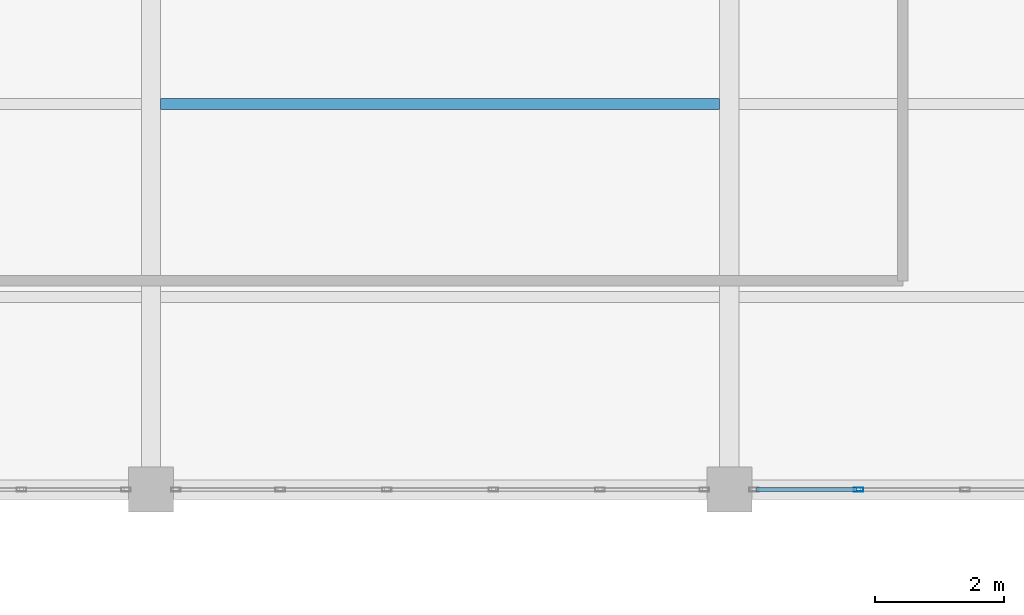
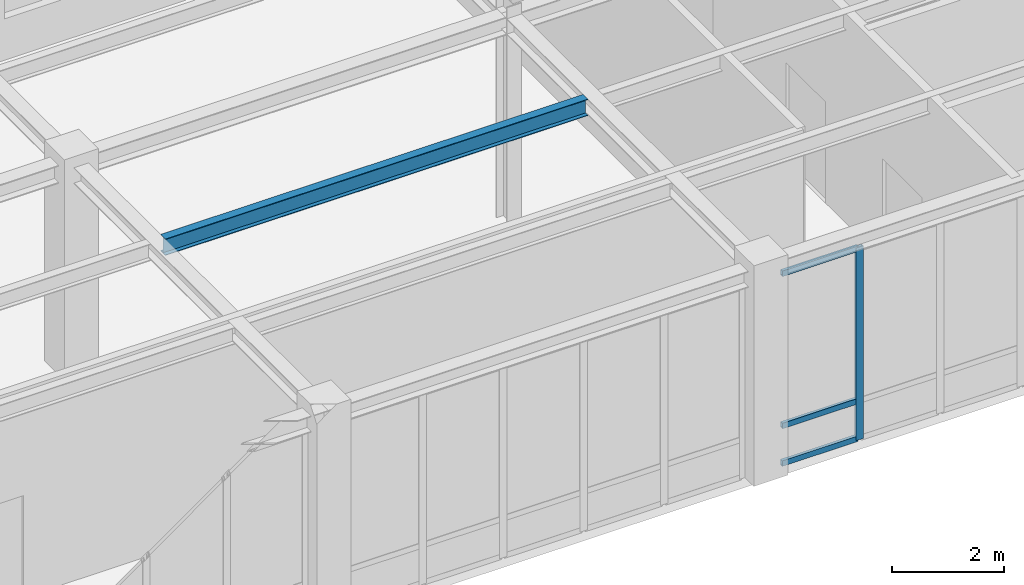
# One storey, part 63 of 92: 4 members, 1 beam, 1 element without a shape of its own.
"""IFC4 building model written with IfcOpenShell, lengths in metres."""

from ifc_helpers import new_model, si_unit, direction, frame, origin, origin_2d, place, context, subcontext, project, spatial, hollow_rectangle, i_section, extrude, material, material_profile, profile_set, type_object, element, aggregate, save


model = new_model("IFC4")

# Units and contexts
model_context = context("Model", 3, precision=1e-05, world=origin(), true_north=direction((0.0, 1.0)))
body_context = subcontext(model_context, "Body", "Model", "MODEL_VIEW")
ifc_project = project(units=[si_unit("LENGTHUNIT", "METRE"), si_unit("AREAUNIT", "SQUARE_METRE"), si_unit("VOLUMEUNIT", "CUBIC_METRE"), si_unit("PLANEANGLEUNIT", "RADIAN"), si_unit("MASSUNIT", "GRAM", prefix="KILO")], contexts=[model_context])

# Site, building, storey
site_placement = place(None, origin())
site = spatial("IfcSite", under=ifc_project, at=site_placement, CompositionType="ELEMENT")
building_placement = place(site_placement, origin())
building = spatial("IfcBuilding", under=site, at=building_placement, Name="Lykobir Media Centre", CompositionType="ELEMENT")
storey_placement = place(building_placement, frame((0.0, 0.0, 5.39990234375)))
storey = spatial("IfcBuildingStorey", under=building, at=storey_placement, Name="L01", CompositionType="ELEMENT", Elevation=5.39990234375)

# Curtain wall, members
ifc_material_1 = material(Name="Anodized Aluminium AW-6060", Category="aluminium")
curtain_wall_type = type_object("IfcCurtainWallType", Name="CW-COURT-A", PredefinedType="NOTDEFINED", material=ifc_material_1)
curtain_wall_placement = place(storey_placement, origin())
curtain_wall = element("IfcCurtainWall", 1, at=curtain_wall_placement, inside=storey, type_object=curtain_wall_type, Name="Curtain wall CW2-L01-0072", PredefinedType="NOTDEFINED")
ifc_material_profile_1 = material_profile(ifc_material_1, hollow_rectangle(XDim=0.06494140625, YDim=0.14990234375, WallThickness=0.00341796875, at=origin_2d()), Name="ALU MULLION 65x150")
ifc_profile_set_1 = profile_set([ifc_material_profile_1], Name="Anodized Aluminium AW-6060")
member_type_1 = type_object("IfcMemberType", Name="CWM-150", PredefinedType="MULLION", material=ifc_profile_set_1)
member_1_placement = place(storey_placement, frame((119.012939453125, 72.0, 0.0), z_axis=(0.0, 0.0, 1.0), x_axis=(0.0, -1.0, 0.0)))
member_1 = element("IfcMember", 2, at=member_1_placement, type_object=member_type_1, Name="CW2-L01-0072 mullion 5", PredefinedType="MULLION", context=body_context, shape_type="SweptSolid", body=[
    extrude(hollow_rectangle(XDim=0.06494140625, YDim=0.14990234375, WallThickness=0.00341796875, at=origin_2d()), origin(), (0.0, 0.0, 1.0), 4.195068359375),
])
ifc_material_profile_2 = material_profile(ifc_material_1, hollow_rectangle(XDim=0.06494140625, YDim=0.1201171875, WallThickness=0.0029296875, at=origin_2d()), Name="ALU TRANSOM 65x120")
ifc_profile_set_2 = profile_set([ifc_material_profile_2], Name="Anodized Aluminium AW-6060")
member_type_2 = type_object("IfcMemberType", Name="CWT-120", PredefinedType="USERDEFINED", material=ifc_profile_set_2)
member_2_placement = place(storey_placement, frame((118.98046875, 72.0, 0.03271484375), z_axis=(-1.0, 0.0, 0.0), x_axis=(0.0, -1.0, 0.0)))
member_2 = element("IfcMember", 3, at=member_2_placement, type_object=member_type_2, Name="CW2-L01-0072 transom 5.1", ObjectType="TRANSOM", PredefinedType="USERDEFINED", context=body_context, shape_type="SweptSolid", body=[
    extrude(hollow_rectangle(XDim=0.06494140625, YDim=0.1201171875, WallThickness=0.0029296875, at=origin_2d()), origin(), (0.0, 0.0, 1.0), 1.560546875),
])
member_3_placement = place(storey_placement, frame((118.98046875, 72.0, 0.85009765625), z_axis=(-1.0, 0.0, 0.0), x_axis=(0.0, -1.0, 0.0)))
member_3 = element("IfcMember", 4, at=member_3_placement, type_object=member_type_2, Name="CW2-L01-0072 transom 5.2", ObjectType="TRANSOM", PredefinedType="USERDEFINED", context=body_context, shape_type="SweptSolid", body=[
    extrude(hollow_rectangle(XDim=0.06494140625, YDim=0.1201171875, WallThickness=0.0029296875, at=origin_2d()), origin(), (0.0, 0.0, 1.0), 1.560546875),
])
member_4_placement = place(storey_placement, frame((118.98046875, 72.0, 4.16259765625), z_axis=(-1.0, 0.0, 0.0), x_axis=(0.0, -1.0, 0.0)))
member_4 = element("IfcMember", 5, at=member_4_placement, type_object=member_type_2, Name="CW2-L01-0072 transom 5.3", ObjectType="TRANSOM", PredefinedType="USERDEFINED", context=body_context, shape_type="SweptSolid", body=[
    extrude(hollow_rectangle(XDim=0.06494140625, YDim=0.1201171875, WallThickness=0.0029296875, at=origin_2d()), origin(), (0.0, 0.0, 1.0), 1.560546875),
])
aggregate(curtain_wall, [member_1, member_2, member_3, member_4])

# Beam
ifc_material_2 = material(Name="Steel S355", Category="steel")
ifc_material_profile_3 = material_profile(ifc_material_2, i_section(OverallWidth=0.169921875, OverallDepth=0.360107421875, WebThickness=0.008056640625, FlangeThickness=0.0126953125, at=origin_2d()), Name="IPE 360")
ifc_profile_set_3 = profile_set([ifc_material_profile_3], Name="Steel S355")
beam_type = type_object("IfcBeamType", Name="JS-IPE360", PredefinedType="JOIST", material=ifc_profile_set_3)
beam_placement = place(storey_placement, frame((108.14990234375, 78.0, 4.380126953125), z_axis=(1.0, 0.0, 0.0), x_axis=(0.0, 1.0, 0.0)))
element("IfcBeam", 6, at=beam_placement, inside=storey, type_object=beam_type, Name="Beam BM-L01-1082-0780-1168-0780-978", PredefinedType="JOIST", context=body_context, shape_type="SweptSolid", body=[
    extrude(i_section(OverallWidth=0.169921875, OverallDepth=0.360107421875, WebThickness=0.008056640625, FlangeThickness=0.0126953125, at=origin_2d()), origin(), (0.0, 0.0, 1.0), 8.7001953125),
])

save(model, "model.ifc")
